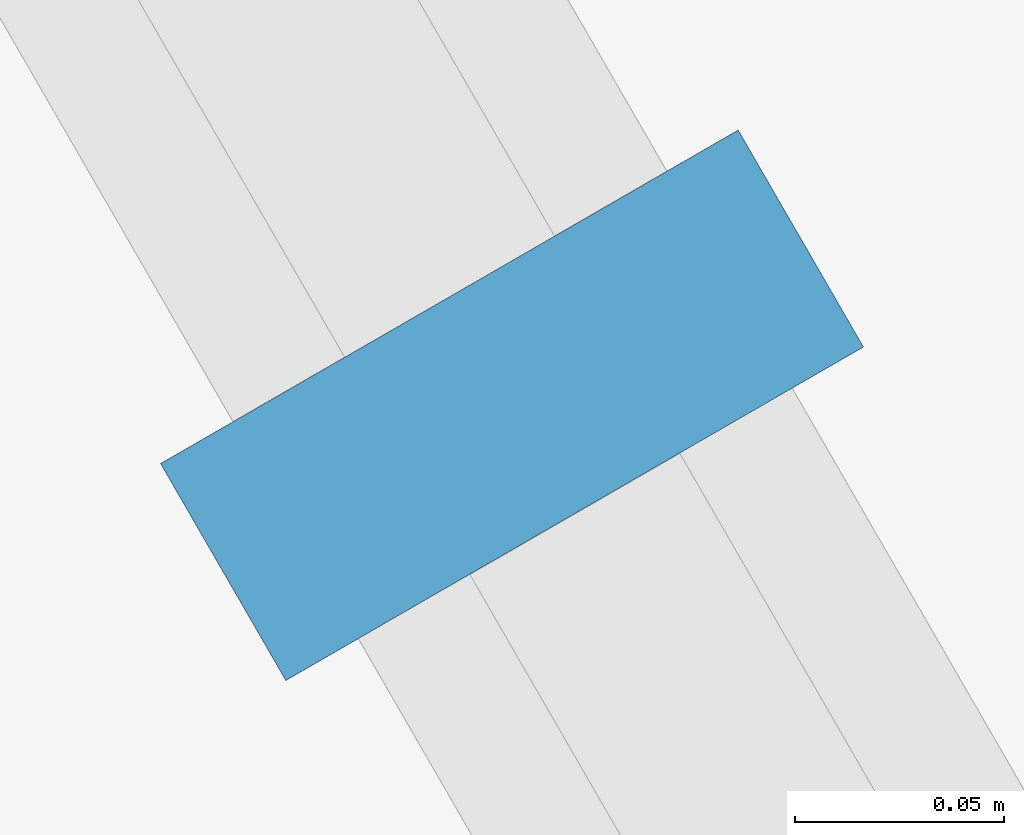
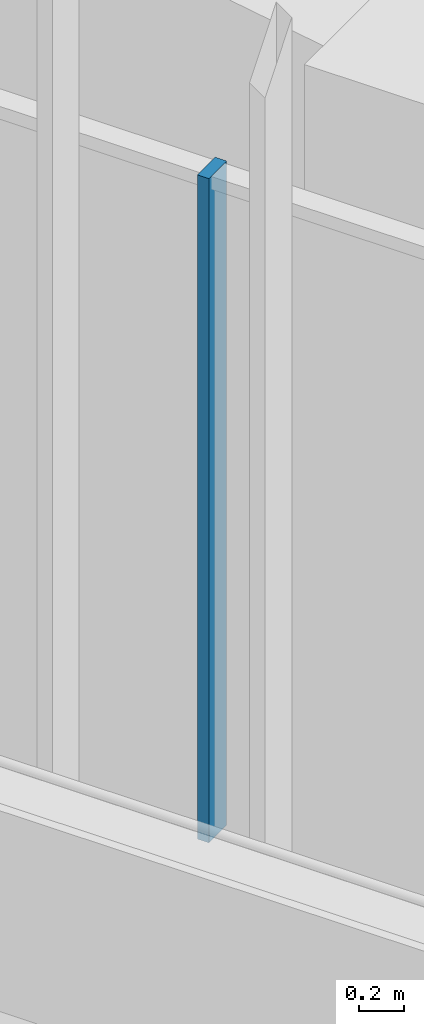
# One storey, part 24 of 127: 1 member, 1 element without a shape of its own.
"""IFC4 building model written with IfcOpenShell, lengths in metres."""

from ifc_helpers import new_model, si_unit, direction, frame, origin, origin_2d, place, context, subcontext, project, spatial, rectangle, extrude, material, material_profile, profile_set, type_object, element, aggregate, save


model = new_model("IFC4")

# Units and contexts
model_context = context("Model", 3, precision=1e-05, world=origin(), true_north=direction((0.0, 1.0)))
body_context = subcontext(model_context, "Body", "Model", "MODEL_VIEW")
ifc_project = project(units=[si_unit("LENGTHUNIT", "METRE"), si_unit("AREAUNIT", "SQUARE_METRE"), si_unit("VOLUMEUNIT", "CUBIC_METRE"), si_unit("PLANEANGLEUNIT", "RADIAN"), si_unit("MASSUNIT", "GRAM", prefix="KILO")], contexts=[model_context])

# Site, building, storey
site_placement = place(None, origin())
site = spatial("IfcSite", under=ifc_project, at=site_placement, CompositionType="ELEMENT")
building_placement = place(site_placement, origin())
building = spatial("IfcBuilding", under=site, at=building_placement, Name="Sandreach Pilgrim Tower", CompositionType="ELEMENT")
storey_placement = place(building_placement, frame((0.0, 0.0, 257.0)))
storey = spatial("IfcBuildingStorey", under=building, at=storey_placement, Name="L64", CompositionType="ELEMENT", Elevation=257.0)

# Curtain wall, member
ifc_material_1 = material(Name="Aluminium framed curtain wall", Category="aluminium")
curtain_wall_type = type_object("IfcCurtainWallType", Name="Suite tower curtain wall", PredefinedType="NOTDEFINED", material=ifc_material_1)
curtain_wall_placement = place(storey_placement, origin())
curtain_wall = element("IfcCurtainWall", 1, at=curtain_wall_placement, inside=storey, type_object=curtain_wall_type, Name="CW-4 L64 SW", PredefinedType="NOTDEFINED")
ifc_material_2 = material(Name="Aluminium extrusion", Category="aluminium")
ifc_material_profile = material_profile(ifc_material_2, rectangle(XDim=0.06005859375, YDim=0.159912109375, at=origin_2d()), Name="CW-4M 60X160")
ifc_profile_set = profile_set([ifc_material_profile], Name="Aluminium extrusion")
member_type = type_object("IfcMemberType", Name="CW-4 mullion", PredefinedType="MULLION", material=ifc_profile_set)
member_placement = place(storey_placement, frame((-23.508544921875, 1.06494140625, 0.0), z_axis=(0.0, 0.0, 1.0), x_axis=(-0.5, 0.866025403784, 0.0)))
member = element("IfcMember", 2, at=member_placement, type_object=member_type, Name="CW-4 mullion 9", PredefinedType="MULLION", context=body_context, shape_type="SweptSolid", body=[
    extrude(rectangle(XDim=0.06005859375, YDim=0.159912109375, at=origin_2d()), origin(), (0.0, 0.0, 1.0), 3.639892578125),
])
aggregate(curtain_wall, [member])

save(model, "model.ifc")
